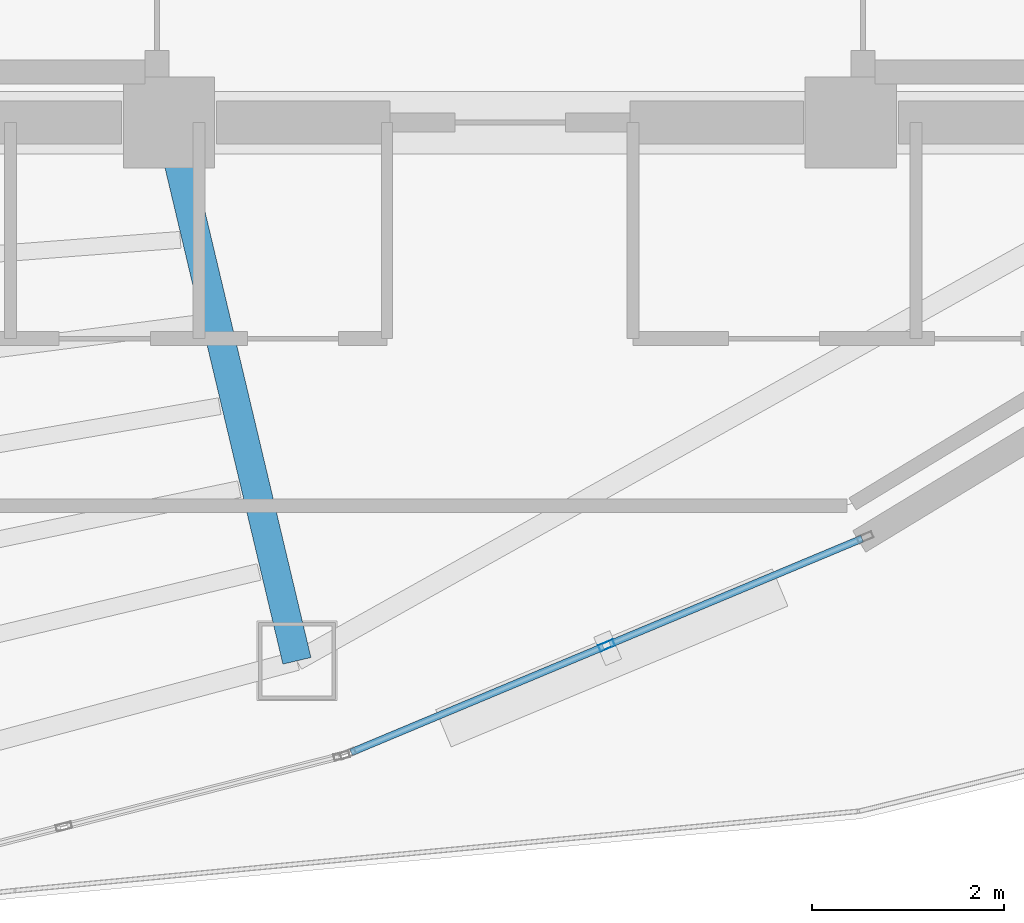
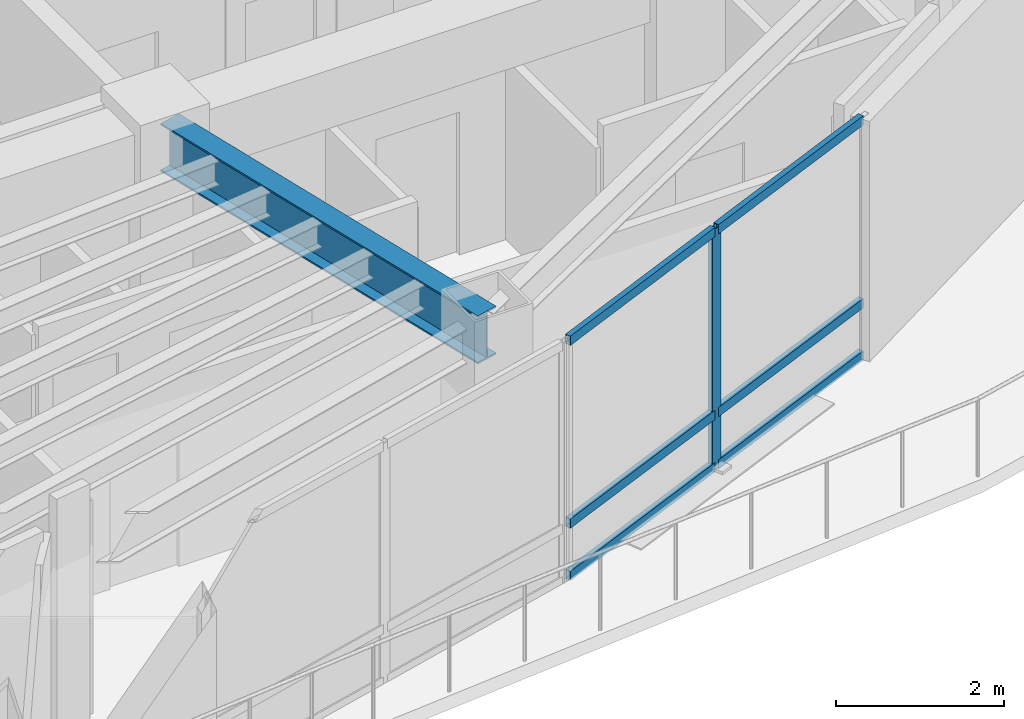
# One storey, part 3 of 16: 7 members, 1 beam, 1 element without a shape of its own.
"""IFC4 building model written with IfcOpenShell, lengths in metres."""

from ifc_helpers import new_model, si_unit, direction, frame, origin, origin_2d, place, context, subcontext, project, spatial, hollow_rectangle, i_section, extrude, material, layer, layer_set, material_profile, profile_set, type_object, element, aggregate, save


model = new_model("IFC4")

# Units and contexts
model_context = context("Model", 3, precision=1e-05, world=origin(), true_north=direction((0.0, 1.0)))
body_context = subcontext(model_context, "Body", "Model", "MODEL_VIEW")
ifc_project = project(units=[si_unit("LENGTHUNIT", "METRE"), si_unit("AREAUNIT", "SQUARE_METRE"), si_unit("VOLUMEUNIT", "CUBIC_METRE"), si_unit("PLANEANGLEUNIT", "RADIAN"), si_unit("MASSUNIT", "GRAM", prefix="KILO")], contexts=[model_context])

# Site, building, storey
site_placement = place(None, origin())
site = spatial("IfcSite", under=ifc_project, at=site_placement, CompositionType="ELEMENT")
building_placement = place(site_placement, origin())
building = spatial("IfcBuilding", under=site, at=building_placement, Name="Menara Vayukalpa", CompositionType="ELEMENT")
storey_placement = place(building_placement, frame((0.0, 0.0, 247.139892578125)))
storey = spatial("IfcBuildingStorey", under=building, at=storey_placement, Name="L62", CompositionType="ELEMENT", Elevation=247.139892578125)

# Beam
ifc_material_1 = material(Name="Steel S355", Category="steel")
ifc_material_profile_1 = material_profile(ifc_material_1, i_section(OverallWidth=0.300048828125, OverallDepth=0.699951171875, WebThickness=0.012939453125, FlangeThickness=0.02392578125, at=origin_2d()), Name="WF 700x300x13x24")
ifc_profile_set_1 = profile_set([ifc_material_profile_1], Name="Steel S355")
beam_type = type_object("IfcBeamType", Name="BM-PG5", PredefinedType="BEAM", material=ifc_profile_set_1)
beam_placement = place(storey_placement, frame((22.10791015625, 16.956787109375, 3.150146484375), z_axis=(0.231167310854, -0.972914011818, 0.0), x_axis=(0.972914011818, 0.231167310854, 0.0)))
element("IfcBeam", 1, at=beam_placement, inside=storey, type_object=beam_type, Name="L62 Primary Radial Girder RG08", PredefinedType="BEAM", context=body_context, shape_type="SweptSolid", body=[
    extrude(i_section(OverallWidth=0.300048828125, OverallDepth=0.699951171875, WebThickness=0.012939453125, FlangeThickness=0.02392578125, at=origin_2d()), origin(), (0.0, 0.0, 1.0), 5.5107421875),
])

# Curtain wall, members
ifc_material_2 = material(Name="Anodised Terracotta Aluminium Alloy 6063-T6", Category="masonry")
ifc_layer = layer(ifc_material_2, 0.1650390625)
ifc_layer_set = layer_set([ifc_layer], Name="Anodised Terracotta Aluminium Alloy 6063-T6")
curtain_wall_type = type_object("IfcCurtainWallType", Name="CW-CW6", PredefinedType="USERDEFINED", material=ifc_layer_set)
curtain_wall_placement = place(storey_placement, origin())
curtain_wall = element("IfcCurtainWall", 2, at=curtain_wall_placement, inside=storey, type_object=curtain_wall_type, Name="L62 Observation and Executive Curtain Wall CW6 17", ObjectType="UNITISED", PredefinedType="USERDEFINED")
ifc_material_3 = material(Name="Anodised Terracotta Aluminium Alloy 6063-T6", Category="masonry")
ifc_material_profile_2 = material_profile(ifc_material_3, hollow_rectangle(XDim=0.070068359375, YDim=0.1650390625, WallThickness=0.00390625, at=origin_2d()), Name="ALU 70x165x4")
ifc_profile_set_2 = profile_set([ifc_material_profile_2], Name="Anodised Terracotta Aluminium Alloy 6063-T6")
member_type_1 = type_object("IfcMemberType", Name="CWM-CW6", PredefinedType="MULLION", material=ifc_profile_set_2)
member_1_placement = place(storey_placement, frame((26.60595703125, 11.7548828125, 0.0), z_axis=(0.0, 0.0, 1.0), x_axis=(-0.385899911703, 0.922540653927, 0.0)))
member_1 = element("IfcMember", 3, at=member_1_placement, type_object=member_type_1, Name="CW6 mullion 2", PredefinedType="MULLION", context=body_context, shape_type="SweptSolid", body=[
    extrude(hollow_rectangle(XDim=0.070068359375, YDim=0.1650390625, WallThickness=0.00390625, at=origin_2d()), origin(), (0.0, 0.0, 1.0), 3.5),
])
ifc_material_4 = material(Name="Anodised Terracotta Aluminium Alloy 6063-T6", Category="masonry")
ifc_material_profile_3 = material_profile(ifc_material_4, hollow_rectangle(XDim=0.074951171875, YDim=0.135009765625, WallThickness=0.00390625, at=origin_2d()), Name="ALU 75x135x4")
ifc_profile_set_3 = profile_set([ifc_material_profile_3], Name="Anodised Terracotta Aluminium Alloy 6063-T6")
member_type_2 = type_object("IfcMemberType", Name="CWT-CW6", PredefinedType="USERDEFINED", material=ifc_profile_set_3)
member_2_placement = place(storey_placement, frame((23.945556640625, 10.64208984375, 0.03759765625), z_axis=(0.922541050276, 0.38589896418, 0.0), x_axis=(-0.38589896418, 0.922541050276, 0.0)))
member_2 = element("IfcMember", 4, at=member_2_placement, type_object=member_type_2, Name="CW6 transom 1.1", ObjectType="TRANSOM", PredefinedType="USERDEFINED", context=body_context, shape_type="SweptSolid", body=[
    extrude(hollow_rectangle(XDim=0.074951171875, YDim=0.135009765625, WallThickness=0.00390625, at=origin_2d()), origin(), (0.0, 0.0, 1.0), 2.848876953125),
])
member_3_placement = place(storey_placement, frame((23.945556640625, 10.64208984375, 0.800048828125), z_axis=(0.922541050276, 0.38589896418, 0.0), x_axis=(-0.38589896418, 0.922541050276, 0.0)))
member_3 = element("IfcMember", 5, at=member_3_placement, type_object=member_type_2, Name="CW6 transom 1.2", ObjectType="TRANSOM", PredefinedType="USERDEFINED", context=body_context, shape_type="SweptSolid", body=[
    extrude(hollow_rectangle(XDim=0.074951171875, YDim=0.135009765625, WallThickness=0.00390625, at=origin_2d()), origin(), (0.0, 0.0, 1.0), 2.848876953125),
])
member_4_placement = place(storey_placement, frame((23.945556640625, 10.64208984375, 3.462646484375), z_axis=(0.922541050276, 0.38589896418, 0.0), x_axis=(-0.38589896418, 0.922541050276, 0.0)))
member_4 = element("IfcMember", 6, at=member_4_placement, type_object=member_type_2, Name="CW6 transom 1.3", ObjectType="TRANSOM", PredefinedType="USERDEFINED", context=body_context, shape_type="SweptSolid", body=[
    extrude(hollow_rectangle(XDim=0.074951171875, YDim=0.135009765625, WallThickness=0.00390625, at=origin_2d()), origin(), (0.0, 0.0, 1.0), 2.848876953125),
])
member_5_placement = place(storey_placement, frame((26.638427734375, 11.768310546875, 0.03759765625), z_axis=(0.922528286758, 0.385929475592, 0.0), x_axis=(-0.385929475592, 0.922528286758, 0.0)))
member_5 = element("IfcMember", 7, at=member_5_placement, type_object=member_type_2, Name="CW6 transom 2.1", ObjectType="TRANSOM", PredefinedType="USERDEFINED", context=body_context, shape_type="SweptSolid", body=[
    extrude(hollow_rectangle(XDim=0.074951171875, YDim=0.135009765625, WallThickness=0.00390625, at=origin_2d()), origin(), (0.0, 0.0, 1.0), 2.8486328125),
])
member_6_placement = place(storey_placement, frame((26.638427734375, 11.768310546875, 0.800048828125), z_axis=(0.922528286758, 0.385929475592, 0.0), x_axis=(-0.385929475592, 0.922528286758, 0.0)))
member_6 = element("IfcMember", 8, at=member_6_placement, type_object=member_type_2, Name="CW6 transom 2.2", ObjectType="TRANSOM", PredefinedType="USERDEFINED", context=body_context, shape_type="SweptSolid", body=[
    extrude(hollow_rectangle(XDim=0.074951171875, YDim=0.135009765625, WallThickness=0.00390625, at=origin_2d()), origin(), (0.0, 0.0, 1.0), 2.8486328125),
])
member_7_placement = place(storey_placement, frame((26.638427734375, 11.768310546875, 3.462646484375), z_axis=(0.922528286758, 0.385929475592, 0.0), x_axis=(-0.385929475592, 0.922528286758, 0.0)))
member_7 = element("IfcMember", 9, at=member_7_placement, type_object=member_type_2, Name="CW6 transom 2.3", ObjectType="TRANSOM", PredefinedType="USERDEFINED", context=body_context, shape_type="SweptSolid", body=[
    extrude(hollow_rectangle(XDim=0.074951171875, YDim=0.135009765625, WallThickness=0.00390625, at=origin_2d()), origin(), (0.0, 0.0, 1.0), 2.8486328125),
])
aggregate(curtain_wall, [member_1, member_2, member_3, member_4, member_5, member_6, member_7])

save(model, "model.ifc")
